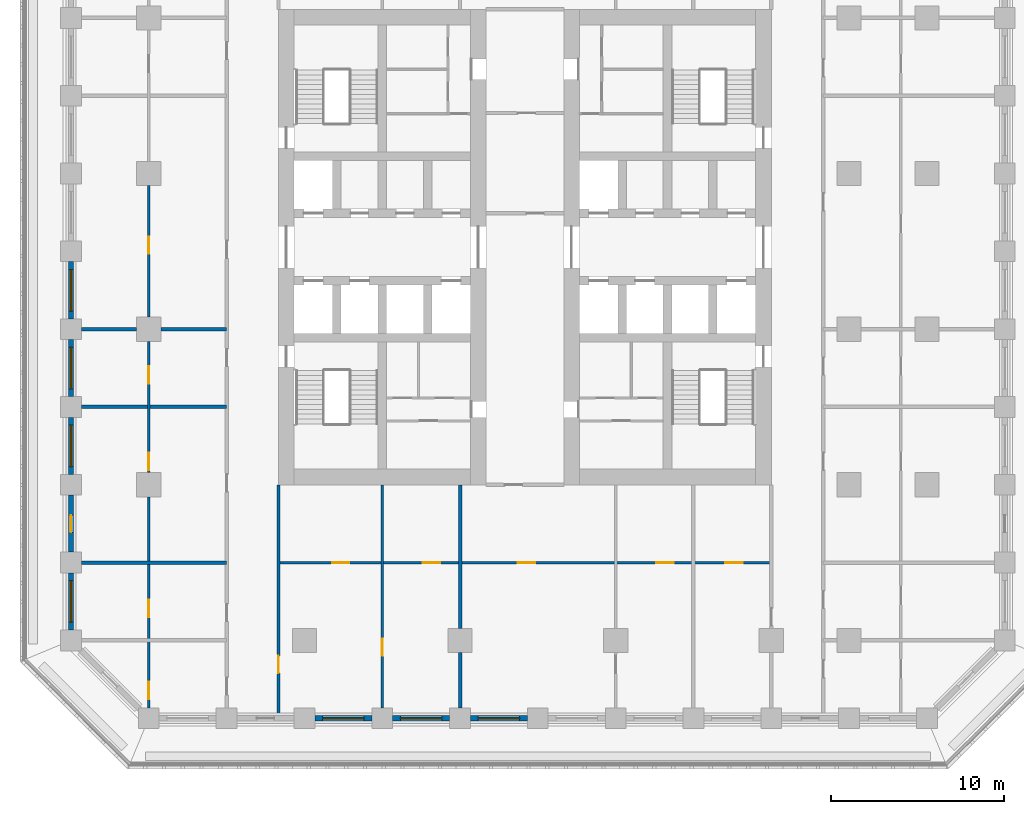
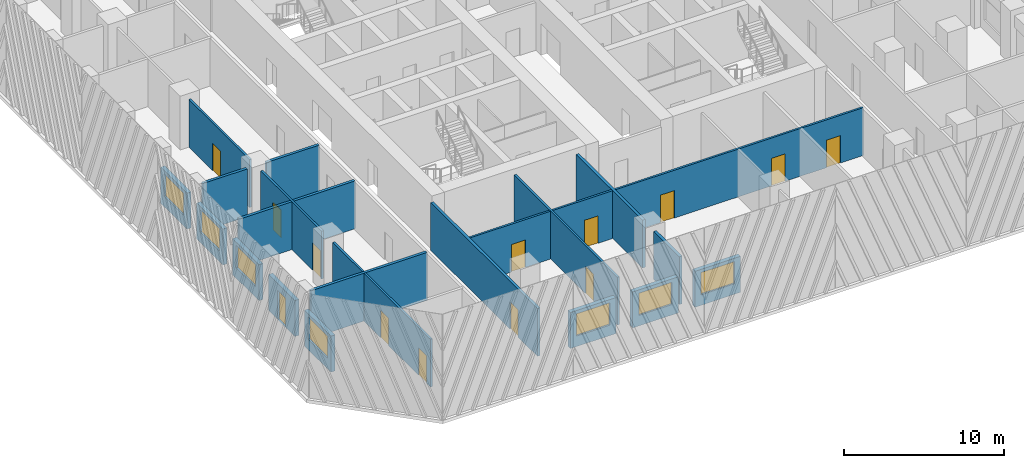
# One storey, part 3 of 20: 20 walls, 13 doors, 7 windows, 20 openings.
"""IFC4 building model written with IfcOpenShell, lengths in metres."""

from ifc_helpers import new_model, si_unit, direction, frame, frame_2d, origin, place, context, subcontext, project, spatial, rectangle, extrude, material, layer, layer_set, type_object, element, fill, save


model = new_model("IFC4")

# Units and contexts
model_context = context("Model", 3, precision=1e-05, world=origin(), true_north=direction((0.0, 1.0)))
body_context = subcontext(model_context, "Body", "Model", "MODEL_VIEW")
ifc_project = project(units=[si_unit("LENGTHUNIT", "METRE"), si_unit("AREAUNIT", "SQUARE_METRE"), si_unit("VOLUMEUNIT", "CUBIC_METRE"), si_unit("PLANEANGLEUNIT", "RADIAN"), si_unit("MASSUNIT", "GRAM", prefix="KILO")], contexts=[model_context])

# Site, building, storey
site_placement = place(None, origin())
site = spatial("IfcSite", under=ifc_project, at=site_placement, CompositionType="ELEMENT")
building_placement = place(site_placement, origin())
building = spatial("IfcBuilding", under=site, at=building_placement, Name="Corbel Stack Research Tower", CompositionType="ELEMENT")
storey_placement = place(building_placement, frame((0.0, 0.0, 98.39990234375)))
storey = spatial("IfcBuildingStorey", under=building, at=storey_placement, Name="L22", CompositionType="ELEMENT", Elevation=98.39990234375)

# Wall, opening, door
ifc_material_1 = material(Name="Fire-rated gypsum board partition on steel studs", Category="steel")
ifc_layer_1 = layer(ifc_material_1, 0.14990234375)
ifc_layer_set_1 = layer_set([ifc_layer_1], Name="Fire-rated gypsum board partition on steel studs")
wall_type_1 = type_object("IfcWallType", Name="Fire-rated partition 150 EI 60", PredefinedType="PARTITIONING", material=ifc_layer_set_1)
wall_1_placement = place(storey_placement, frame((-4.5, -9.0, 0.0), z_axis=(0.0, 0.0, 1.0), x_axis=(0.0, -1.0, 0.0)))
wall_1 = element("IfcWall", 1, at=wall_1_placement, inside=storey, type_object=wall_type_1, Name="Partition L22-010", PredefinedType="PARTITIONING", context=body_context, shape_type="SweptSolid", body=[
    extrude(rectangle(XDim=12.89990234375, YDim=0.14990234375, at=frame_2d((6.449951171875, 0.0))), origin(), (0.0, 0.0, 1.0), 3.650146484375),
])
opening_1_placement = place(wall_1_placement, frame((8.89990234375, 0.0, 0.0)))
opening_1 = element("IfcOpeningElement", 2, at=opening_1_placement, cuts=wall_1, Name="Opening B3V2-025", PredefinedType="OPENING", context=body_context, shape_type="SweptSolid", body=[
    extrude(rectangle(XDim=1.0, YDim=2.10009765625, at=frame_2d((0.5, 1.050048828125))), frame((0.0, 0.0849609375, 0.0), z_axis=(0.0, -1.0, 0.0), x_axis=(1.0, 0.0, 0.0)), (0.0, 0.0, 1.0), 0.169921875),
])
ifc_material_2 = material(Name="Painted steel fire door", Category="steel")
door_type_1 = type_object("IfcDoorType", Name="Fire door FD30S 1000 x 2100", OperationType="NOTDEFINED", PredefinedType="DOOR", material=ifc_material_2)
door_1_placement = place(opening_1_placement, origin())
door_1 = element("IfcDoor", 3, at=door_1_placement, inside=storey, type_object=door_type_1, Name="Door B3V2-025", OperationType="SINGLE_SWING_RIGHT", OverallHeight=2.10009765625, OverallWidth=1.0, PredefinedType="DOOR", context=body_context, shape_type="SweptSolid", body=[
    extrude(rectangle(XDim=1.0, YDim=2.10009765625, at=frame_2d((0.5, 1.050048828125))), frame((0.0, 0.02490234375, 0.0), z_axis=(0.0, -1.0, 0.0), x_axis=(1.0, 0.0, 0.0)), (0.0, 0.0, 1.0), 0.050048828125),
])
fill(opening_1, door_1)

ifc_material_3 = material(Name="Fire-rated gypsum board partition on steel studs", Category="steel")
ifc_layer_2 = layer(ifc_material_3, 0.199951171875)
ifc_layer_set_2 = layer_set([ifc_layer_2], Name="Fire-rated gypsum board partition on steel studs")
wall_type_2 = type_object("IfcWallType", Name="Fire-rated partition 200 EI 60", PredefinedType="PARTITIONING", material=ifc_layer_set_2)
wall_2_placement = place(storey_placement, frame((-10.5, -9.0, 0.0), z_axis=(0.0, 0.0, 1.0), x_axis=(0.0, -1.0, 0.0)))
wall_2 = element("IfcWall", 4, at=wall_2_placement, inside=storey, type_object=wall_type_2, Name="Partition L22-008", PredefinedType="PARTITIONING", context=body_context, shape_type="SweptSolid", body=[
    extrude(rectangle(XDim=13.35009765625, YDim=0.199951171875, at=frame_2d((6.675048828125, 0.0))), origin(), (0.0, 0.0, 1.0), 3.650146484375),
])
opening_2_placement = place(wall_2_placement, frame((9.89990234375, 0.0, 0.0)))
opening_2 = element("IfcOpeningElement", 5, at=opening_2_placement, cuts=wall_2, Name="Opening B3V2-022", PredefinedType="OPENING", context=body_context, shape_type="SweptSolid", body=[
    extrude(rectangle(XDim=1.0, YDim=2.10009765625, at=frame_2d((0.5, 1.050048828125))), frame((0.0, 0.10986328125, 0.0), z_axis=(0.0, -1.0, 0.0), x_axis=(1.0, 0.0, 0.0)), (0.0, 0.0, 1.0), 0.219970703125),
])
door_2_placement = place(opening_2_placement, origin())
door_2 = element("IfcDoor", 6, at=door_2_placement, inside=storey, type_object=door_type_1, Name="Door B3V2-022", OperationType="SINGLE_SWING_RIGHT", OverallHeight=2.10009765625, OverallWidth=1.0, PredefinedType="DOOR", context=body_context, shape_type="SweptSolid", body=[
    extrude(rectangle(XDim=1.0, YDim=2.10009765625, at=frame_2d((0.5, 1.050048828125))), frame((0.0, 0.02490234375, 0.0), z_axis=(0.0, -1.0, 0.0), x_axis=(1.0, 0.0, 0.0)), (0.0, 0.0, 1.0), 0.050048828125),
])
fill(opening_2, door_2)

# Walls
wall_3_placement = place(storey_placement, frame((0.0, -21.89990234375, 0.0), z_axis=(0.0, 0.0, 1.0), x_axis=(0.0, 1.0, 0.0)))
element("IfcWall", 7, at=wall_3_placement, inside=storey, type_object=wall_type_2, Name="Partition L22-015", PredefinedType="PARTITIONING", context=body_context, shape_type="SweptSolid", body=[
    extrude(rectangle(XDim=3.199951171875, YDim=0.199951171875, at=frame_2d((1.60009765625, 0.0))), origin(), (0.0, 0.0, 1.0), 3.650146484375),
])
wall_4_placement = place(storey_placement, frame((0.0, -17.300048828125, 0.0), z_axis=(0.0, 0.0, 1.0), x_axis=(0.0, 1.0, 0.0)))
element("IfcWall", 8, at=wall_4_placement, inside=storey, type_object=wall_type_2, Name="Partition L22-016", PredefinedType="PARTITIONING", context=body_context, shape_type="SweptSolid", body=[
    extrude(rectangle(XDim=8.300048828125, YDim=0.199951171875, at=frame_2d((4.14990234375, 0.0))), origin(), (0.0, 0.0, 1.0), 3.650146484375),
])
for number, where, z_axis, x_axis, name in (
    (9, (-21.89990234375, -13.5, 0.0), (0.0, 0.0, 1.0), (1.0, 0.0, 0.0), "Partition L22-035"),
    (10, (-21.89990234375, -4.5, 0.0), (0.0, 0.0, 1.0), (1.0, 0.0, 0.0), "Partition L22-038"),
):
    element("IfcWall", number, at=place(storey_placement, frame(where, z_axis=z_axis, x_axis=x_axis)), inside=storey, type_object=wall_type_2, Name=name, PredefinedType="PARTITIONING", context=body_context, shape_type="SweptSolid", body=[
        extrude(rectangle(XDim=8.39990234375, YDim=0.199951171875, at=frame_2d((4.199951171875, 0.0))), origin(), (0.0, 0.0, 1.0), 3.650146484375),
    ])
wall_5_placement = place(storey_placement, frame((-21.89990234375, 0.0, 0.0), z_axis=(0.0, 0.0, 1.0), x_axis=(1.0, 0.0, 0.0)))
element("IfcWall", 11, at=wall_5_placement, inside=storey, type_object=wall_type_2, Name="Partition L22-040", PredefinedType="PARTITIONING", context=body_context, shape_type="SweptSolid", body=[
    extrude(rectangle(XDim=3.199951171875, YDim=0.199951171875, at=frame_2d((1.60009765625, 0.0))), origin(), (0.0, 0.0, 1.0), 3.650146484375),
])
wall_6_placement = place(storey_placement, frame((-17.300048828125, 0.0, 0.0), z_axis=(0.0, 0.0, 1.0), x_axis=(1.0, 0.0, 0.0)))
element("IfcWall", 12, at=wall_6_placement, inside=storey, type_object=wall_type_2, Name="Partition L22-041", PredefinedType="PARTITIONING", context=body_context, shape_type="SweptSolid", body=[
    extrude(rectangle(XDim=3.800048828125, YDim=0.199951171875, at=frame_2d((1.89990234375, 0.0))), origin(), (0.0, 0.0, 1.0), 3.650146484375),
])

# Wall, openings, doors
ifc_material_4 = material(Name="Gypsum board partition on steel studs", Category="steel")
ifc_layer_3 = layer(ifc_material_4, 0.14990234375)
ifc_layer_set_3 = layer_set([ifc_layer_3], Name="Gypsum board partition on steel studs")
wall_type_3 = type_object("IfcWallType", Name="Partition 150", PredefinedType="PARTITIONING", material=ifc_layer_set_3)
wall_7_placement = place(storey_placement, frame((-18.0, -21.89990234375, 0.0), z_axis=(0.0, 0.0, 1.0), x_axis=(0.0, 1.0, 0.0)))
wall_7 = element("IfcWall", 13, at=wall_7_placement, inside=storey, type_object=wall_type_3, Name="Partition L22-001", PredefinedType="PARTITIONING", context=body_context, shape_type="SweptSolid", body=[
    extrude(rectangle(XDim=12.199951171875, YDim=0.14990234375, at=frame_2d((6.10009765625, 0.0))), origin(), (0.0, 0.0, 1.0), 3.650146484375),
])
opening_3_placement = place(wall_7_placement, frame((0.5, 0.0, 0.0)))
opening_3 = element("IfcOpeningElement", 14, at=opening_3_placement, cuts=wall_7, Name="Opening B3V2-001", PredefinedType="OPENING", context=body_context, shape_type="SweptSolid", body=[
    extrude(rectangle(XDim=1.0, YDim=2.10009765625, at=frame_2d((0.5, 1.050048828125))), frame((0.0, 0.0849609375, 0.0), z_axis=(0.0, -1.0, 0.0), x_axis=(1.0, 0.0, 0.0)), (0.0, 0.0, 1.0), 0.169921875),
])
opening_4_placement = place(wall_7_placement, frame((5.25, 0.0, 0.0)))
opening_4 = element("IfcOpeningElement", 15, at=opening_4_placement, cuts=wall_7, Name="Opening B3V2-002", PredefinedType="OPENING", context=body_context, shape_type="SweptSolid", body=[
    extrude(rectangle(XDim=1.0, YDim=2.10009765625, at=frame_2d((0.5, 1.050048828125))), frame((0.0, 0.0849609375, 0.0), z_axis=(0.0, -1.0, 0.0), x_axis=(1.0, 0.0, 0.0)), (0.0, 0.0, 1.0), 0.169921875),
])
ifc_material_5 = material(Name="Painted timber door", Category="wood")
door_type_2 = type_object("IfcDoorType", Name="Single door 1000 x 2100", OperationType="NOTDEFINED", PredefinedType="DOOR", material=ifc_material_5)
door_3_placement = place(opening_3_placement, origin())
door_3 = element("IfcDoor", 16, at=door_3_placement, inside=storey, type_object=door_type_2, Name="Door B3V2-001", OperationType="SINGLE_SWING_LEFT", OverallHeight=2.10009765625, OverallWidth=1.0, PredefinedType="DOOR", context=body_context, shape_type="SweptSolid", body=[
    extrude(rectangle(XDim=1.0, YDim=2.10009765625, at=frame_2d((0.5, 1.050048828125))), frame((0.0, 0.02490234375, 0.0), z_axis=(0.0, -1.0, 0.0), x_axis=(1.0, 0.0, 0.0)), (0.0, 0.0, 1.0), 0.050048828125),
])
fill(opening_3, door_3)
door_4_placement = place(opening_4_placement, origin())
door_4 = element("IfcDoor", 17, at=door_4_placement, inside=storey, type_object=door_type_2, Name="Door B3V2-002", OperationType="SINGLE_SWING_LEFT", OverallHeight=2.10009765625, OverallWidth=1.0, PredefinedType="DOOR", context=body_context, shape_type="SweptSolid", body=[
    extrude(rectangle(XDim=1.0, YDim=2.10009765625, at=frame_2d((0.5, 1.050048828125))), frame((0.0, 0.02490234375, 0.0), z_axis=(0.0, -1.0, 0.0), x_axis=(1.0, 0.0, 0.0)), (0.0, 0.0, 1.0), 0.050048828125),
])
fill(opening_4, door_4)

wall_8_placement = place(storey_placement, frame((-18.0, -8.300048828125, 0.0), z_axis=(0.0, 0.0, 1.0), x_axis=(0.0, 1.0, 0.0)))
wall_8 = element("IfcWall", 18, at=wall_8_placement, inside=storey, type_object=wall_type_3, Name="Partition L22-002", PredefinedType="PARTITIONING", context=body_context, shape_type="SweptSolid", body=[
    extrude(rectangle(XDim=7.60009765625, YDim=0.14990234375, at=frame_2d((3.800048828125, 0.0))), origin(), (0.0, 0.0, 1.0), 3.650146484375),
])
opening_5_placement = place(wall_8_placement, frame((0.14990234375, 0.0, 0.0)))
opening_5 = element("IfcOpeningElement", 19, at=opening_5_placement, cuts=wall_8, Name="Opening B3V2-003", PredefinedType="OPENING", context=body_context, shape_type="SweptSolid", body=[
    extrude(rectangle(XDim=1.0, YDim=2.10009765625, at=frame_2d((0.5, 1.050048828125))), frame((0.0, 0.0849609375, 0.0), z_axis=(0.0, -1.0, 0.0), x_axis=(1.0, 0.0, 0.0)), (0.0, 0.0, 1.0), 0.169921875),
])
opening_6_placement = place(wall_8_placement, frame((5.14990234375, 0.0, 0.0)))
opening_6 = element("IfcOpeningElement", 20, at=opening_6_placement, cuts=wall_8, Name="Opening B3V2-004", PredefinedType="OPENING", context=body_context, shape_type="SweptSolid", body=[
    extrude(rectangle(XDim=1.0, YDim=2.10009765625, at=frame_2d((0.5, 1.050048828125))), frame((0.0, 0.0849609375, 0.0), z_axis=(0.0, -1.0, 0.0), x_axis=(1.0, 0.0, 0.0)), (0.0, 0.0, 1.0), 0.169921875),
])
door_5_placement = place(opening_5_placement, origin())
door_5 = element("IfcDoor", 21, at=door_5_placement, inside=storey, type_object=door_type_2, Name="Door B3V2-003", OperationType="SINGLE_SWING_LEFT", OverallHeight=2.10009765625, OverallWidth=1.0, PredefinedType="DOOR", context=body_context, shape_type="SweptSolid", body=[
    extrude(rectangle(XDim=1.0, YDim=2.10009765625, at=frame_2d((0.5, 1.050048828125))), frame((0.0, 0.02490234375, 0.0), z_axis=(0.0, -1.0, 0.0), x_axis=(1.0, 0.0, 0.0)), (0.0, 0.0, 1.0), 0.050048828125),
])
fill(opening_5, door_5)
door_6_placement = place(opening_6_placement, origin())
door_6 = element("IfcDoor", 22, at=door_6_placement, inside=storey, type_object=door_type_2, Name="Door B3V2-004", OperationType="SINGLE_SWING_RIGHT", OverallHeight=2.10009765625, OverallWidth=1.0, PredefinedType="DOOR", context=body_context, shape_type="SweptSolid", body=[
    extrude(rectangle(XDim=1.0, YDim=2.10009765625, at=frame_2d((0.5, 1.050048828125))), frame((0.0, 0.02490234375, 0.0), z_axis=(0.0, -1.0, 0.0), x_axis=(1.0, 0.0, 0.0)), (0.0, 0.0, 1.0), 0.050048828125),
])
fill(opening_6, door_6)

# Wall, opening, door
wall_9_placement = place(storey_placement, frame((-18.0, 0.699951171875, 0.0), z_axis=(0.0, 0.0, 1.0), x_axis=(0.0, 1.0, 0.0)))
wall_9 = element("IfcWall", 23, at=wall_9_placement, inside=storey, type_object=wall_type_3, Name="Partition L22-003", PredefinedType="PARTITIONING", context=body_context, shape_type="SweptSolid", body=[
    extrude(rectangle(XDim=7.60009765625, YDim=0.14990234375, at=frame_2d((3.800048828125, 0.0))), origin(), (0.0, 0.0, 1.0), 3.650146484375),
])
opening_7_placement = place(wall_9_placement, frame((3.64990234375, 0.0, 0.0)))
opening_7 = element("IfcOpeningElement", 24, at=opening_7_placement, cuts=wall_9, Name="Opening B3V2-005", PredefinedType="OPENING", context=body_context, shape_type="SweptSolid", body=[
    extrude(rectangle(XDim=1.0, YDim=2.10009765625, at=frame_2d((0.5, 1.050048828125))), frame((0.0, 0.0849609375, 0.0), z_axis=(0.0, -1.0, 0.0), x_axis=(1.0, 0.0, 0.0)), (0.0, 0.0, 1.0), 0.169921875),
])
door_7_placement = place(opening_7_placement, origin())
door_7 = element("IfcDoor", 25, at=door_7_placement, inside=storey, type_object=door_type_2, Name="Door B3V2-005", OperationType="SINGLE_SWING_RIGHT", OverallHeight=2.10009765625, OverallWidth=1.0, PredefinedType="DOOR", context=body_context, shape_type="SweptSolid", body=[
    extrude(rectangle(XDim=1.0, YDim=2.10009765625, at=frame_2d((0.5, 1.050048828125))), frame((0.0, 0.02490234375, 0.0), z_axis=(0.0, -1.0, 0.0), x_axis=(1.0, 0.0, 0.0)), (0.0, 0.0, 1.0), 0.050048828125),
])
fill(opening_7, door_7)

# Wall, openings, doors
wall_10_placement = place(storey_placement, frame((-10.5, -13.5, 0.0), z_axis=(0.0, 0.0, 1.0), x_axis=(1.0, 0.0, 0.0)))
wall_10 = element("IfcWall", 26, at=wall_10_placement, inside=storey, type_object=wall_type_3, Name="Partition L22-034", PredefinedType="PARTITIONING", context=body_context, shape_type="SweptSolid", body=[
    extrude(rectangle(XDim=28.5, YDim=0.14990234375, at=frame_2d((14.25, 0.0))), origin(), (0.0, 0.0, 1.0), 3.650146484375),
])
opening_8_placement = place(wall_10_placement, frame((3.10009765625, 0.0, 0.0)))
opening_8 = element("IfcOpeningElement", 27, at=opening_8_placement, cuts=wall_10, Name="Opening B3V2-012", PredefinedType="OPENING", context=body_context, shape_type="SweptSolid", body=[
    extrude(rectangle(XDim=1.0, YDim=2.10009765625, at=frame_2d((0.5, 1.050048828125))), frame((0.0, 0.0849609375, 0.0), z_axis=(0.0, -1.0, 0.0), x_axis=(1.0, 0.0, 0.0)), (0.0, 0.0, 1.0), 0.169921875),
])
opening_9_placement = place(wall_10_placement, frame((8.35009765625, 0.0, 0.0)))
opening_9 = element("IfcOpeningElement", 28, at=opening_9_placement, cuts=wall_10, Name="Opening B3V2-014", PredefinedType="OPENING", context=body_context, shape_type="SweptSolid", body=[
    extrude(rectangle(XDim=1.0, YDim=2.10009765625, at=frame_2d((0.5, 1.050048828125))), frame((0.0, 0.0849609375, 0.0), z_axis=(0.0, -1.0, 0.0), x_axis=(1.0, 0.0, 0.0)), (0.0, 0.0, 1.0), 0.169921875),
])
opening_10_placement = place(wall_10_placement, frame((13.85009765625, 0.0, 0.0)))
opening_10 = element("IfcOpeningElement", 29, at=opening_10_placement, cuts=wall_10, Name="Opening B3V2-015", PredefinedType="OPENING", context=body_context, shape_type="SweptSolid", body=[
    extrude(rectangle(XDim=1.0, YDim=2.10009765625, at=frame_2d((0.5, 1.050048828125))), frame((0.0, 0.0849609375, 0.0), z_axis=(0.0, -1.0, 0.0), x_axis=(1.0, 0.0, 0.0)), (0.0, 0.0, 1.0), 0.169921875),
])
opening_11_placement = place(wall_10_placement, frame((21.85009765625, 0.0, 0.0)))
opening_11 = element("IfcOpeningElement", 30, at=opening_11_placement, cuts=wall_10, Name="Opening B3V2-017", PredefinedType="OPENING", context=body_context, shape_type="SweptSolid", body=[
    extrude(rectangle(XDim=1.0, YDim=2.10009765625, at=frame_2d((0.5, 1.050048828125))), frame((0.0, 0.0849609375, 0.0), z_axis=(0.0, -1.0, 0.0), x_axis=(1.0, 0.0, 0.0)), (0.0, 0.0, 1.0), 0.169921875),
])
opening_12_placement = place(wall_10_placement, frame((25.85009765625, 0.0, 0.0)))
opening_12 = element("IfcOpeningElement", 31, at=opening_12_placement, cuts=wall_10, Name="Opening B3V2-018", PredefinedType="OPENING", context=body_context, shape_type="SweptSolid", body=[
    extrude(rectangle(XDim=1.0, YDim=2.10009765625, at=frame_2d((0.5, 1.050048828125))), frame((0.0, 0.0849609375, 0.0), z_axis=(0.0, -1.0, 0.0), x_axis=(1.0, 0.0, 0.0)), (0.0, 0.0, 1.0), 0.169921875),
])
door_8_placement = place(opening_8_placement, origin())
door_8 = element("IfcDoor", 32, at=door_8_placement, inside=storey, type_object=door_type_2, Name="Door B3V2-012", OperationType="SINGLE_SWING_LEFT", OverallHeight=2.10009765625, OverallWidth=1.0, PredefinedType="DOOR", context=body_context, shape_type="SweptSolid", body=[
    extrude(rectangle(XDim=1.0, YDim=2.10009765625, at=frame_2d((0.5, 1.050048828125))), frame((0.0, 0.02490234375, 0.0), z_axis=(0.0, -1.0, 0.0), x_axis=(1.0, 0.0, 0.0)), (0.0, 0.0, 1.0), 0.050048828125),
])
fill(opening_8, door_8)
door_9_placement = place(opening_9_placement, origin())
door_9 = element("IfcDoor", 33, at=door_9_placement, inside=storey, type_object=door_type_2, Name="Door B3V2-014", OperationType="SINGLE_SWING_LEFT", OverallHeight=2.10009765625, OverallWidth=1.0, PredefinedType="DOOR", context=body_context, shape_type="SweptSolid", body=[
    extrude(rectangle(XDim=1.0, YDim=2.10009765625, at=frame_2d((0.5, 1.050048828125))), frame((0.0, 0.02490234375, 0.0), z_axis=(0.0, -1.0, 0.0), x_axis=(1.0, 0.0, 0.0)), (0.0, 0.0, 1.0), 0.050048828125),
])
fill(opening_9, door_9)
door_10_placement = place(opening_10_placement, origin())
door_10 = element("IfcDoor", 34, at=door_10_placement, inside=storey, type_object=door_type_2, Name="Door B3V2-015", OperationType="SINGLE_SWING_RIGHT", OverallHeight=2.10009765625, OverallWidth=1.0, PredefinedType="DOOR", context=body_context, shape_type="SweptSolid", body=[
    extrude(rectangle(XDim=1.0, YDim=2.10009765625, at=frame_2d((0.5, 1.050048828125))), frame((0.0, 0.02490234375, 0.0), z_axis=(0.0, -1.0, 0.0), x_axis=(1.0, 0.0, 0.0)), (0.0, 0.0, 1.0), 0.050048828125),
])
fill(opening_10, door_10)
door_11_placement = place(opening_11_placement, origin())
door_11 = element("IfcDoor", 35, at=door_11_placement, inside=storey, type_object=door_type_2, Name="Door B3V2-017", OperationType="SINGLE_SWING_RIGHT", OverallHeight=2.10009765625, OverallWidth=1.0, PredefinedType="DOOR", context=body_context, shape_type="SweptSolid", body=[
    extrude(rectangle(XDim=1.0, YDim=2.10009765625, at=frame_2d((0.5, 1.050048828125))), frame((0.0, 0.02490234375, 0.0), z_axis=(0.0, -1.0, 0.0), x_axis=(1.0, 0.0, 0.0)), (0.0, 0.0, 1.0), 0.050048828125),
])
fill(opening_11, door_11)
door_12_placement = place(opening_12_placement, origin())
door_12 = element("IfcDoor", 36, at=door_12_placement, inside=storey, type_object=door_type_2, Name="Door B3V2-018", OperationType="SINGLE_SWING_RIGHT", OverallHeight=2.10009765625, OverallWidth=1.0, PredefinedType="DOOR", context=body_context, shape_type="SweptSolid", body=[
    extrude(rectangle(XDim=1.0, YDim=2.10009765625, at=frame_2d((0.5, 1.050048828125))), frame((0.0, 0.02490234375, 0.0), z_axis=(0.0, -1.0, 0.0), x_axis=(1.0, 0.0, 0.0)), (0.0, 0.0, 1.0), 0.050048828125),
])
fill(opening_12, door_12)

# Wall, opening, window
ifc_material_6 = material(Name="Concrete C45/55", Category="concrete")
ifc_layer_4 = layer(ifc_material_6, 0.300048828125)
ifc_layer_set_4 = layer_set([ifc_layer_4], Name="Concrete C45/55")
wall_type_4 = type_object("IfcWallType", Name="Terracotta-faced concrete wall 300", PredefinedType="SOLIDWALL", material=ifc_layer_set_4)
wall_11_placement = place(storey_placement, frame((-5.10009765625, -22.5, 0.0), z_axis=(0.0, 0.0, 1.0), x_axis=(-1.0, 0.0, 0.0)))
wall_11 = element("IfcWall", 37, at=wall_11_placement, inside=storey, type_object=wall_type_4, Name="Facade wall L22 S03", PredefinedType="SOLIDWALL", context=body_context, shape_type="SweptSolid", body=[
    extrude(rectangle(XDim=3.2998046875, YDim=0.300048828125, at=frame_2d((1.64990234375, 0.0))), origin(), (0.0, 0.0, 1.0), 2.75),
])
opening_13_placement = place(wall_11_placement, frame((0.449951171875, 0.0, 0.800048828125)))
opening_13 = element("IfcOpeningElement", 38, at=opening_13_placement, cuts=wall_11, Name="Opening W1", PredefinedType="OPENING", context=body_context, shape_type="SweptSolid", body=[
    extrude(rectangle(XDim=2.39990234375, YDim=1.699951171875, at=frame_2d((1.199951171875, 0.85009765625))), frame((0.0, 0.159912109375, 0.0), z_axis=(0.0, -1.0, 0.0), x_axis=(1.0, 0.0, 0.0)), (0.0, 0.0, 1.0), 0.320068359375),
])
ifc_material_7 = material(Name="Aluminium frame, clear double glazing", Category="aluminium")
window_type = type_object("IfcWindowType", Name="Window W1 2400 x 1700", PartitioningType="SINGLE_PANEL", PredefinedType="WINDOW", material=ifc_material_7)
window_1_placement = place(opening_13_placement, origin())
window_1 = element("IfcWindow", 39, at=window_1_placement, inside=storey, type_object=window_type, Name="Window W1 L22 S03", OverallHeight=1.699951171875, OverallWidth=2.39990234375, PartitioningType="SINGLE_PANEL", PredefinedType="WINDOW", context=body_context, shape_type="SweptSolid", body=[
    extrude(rectangle(XDim=2.39990234375, YDim=1.699951171875, at=frame_2d((1.199951171875, 0.85009765625))), frame((0.0, 0.030029296875, 0.0), z_axis=(0.0, -1.0, 0.0), x_axis=(1.0, 0.0, 0.0)), (0.0, 0.0, 1.0), 0.06005859375),
])
fill(opening_13, window_1)

wall_12_placement = place(storey_placement, frame((-0.60009765625, -22.5, 0.0), z_axis=(0.0, 0.0, 1.0), x_axis=(-1.0, 0.0, 0.0)))
wall_12 = element("IfcWall", 40, at=wall_12_placement, inside=storey, type_object=wall_type_4, Name="Facade wall L22 S04", PredefinedType="SOLIDWALL", context=body_context, shape_type="SweptSolid", body=[
    extrude(rectangle(XDim=3.2998046875, YDim=0.300048828125, at=frame_2d((1.64990234375, 0.0))), origin(), (0.0, 0.0, 1.0), 2.75),
])
opening_14_placement = place(wall_12_placement, frame((0.449951171875, 0.0, 0.800048828125)))
opening_14 = element("IfcOpeningElement", 41, at=opening_14_placement, cuts=wall_12, Name="Opening W1", PredefinedType="OPENING", context=body_context, shape_type="SweptSolid", body=[
    extrude(rectangle(XDim=2.39990234375, YDim=1.699951171875, at=frame_2d((1.199951171875, 0.85009765625))), frame((0.0, 0.159912109375, 0.0), z_axis=(0.0, -1.0, 0.0), x_axis=(1.0, 0.0, 0.0)), (0.0, 0.0, 1.0), 0.320068359375),
])
window_2_placement = place(opening_14_placement, origin())
window_2 = element("IfcWindow", 42, at=window_2_placement, inside=storey, type_object=window_type, Name="Window W1 L22 S04", OverallHeight=1.699951171875, OverallWidth=2.39990234375, PartitioningType="SINGLE_PANEL", PredefinedType="WINDOW", context=body_context, shape_type="SweptSolid", body=[
    extrude(rectangle(XDim=2.39990234375, YDim=1.699951171875, at=frame_2d((1.199951171875, 0.85009765625))), frame((0.0, 0.030029296875, 0.0), z_axis=(0.0, -1.0, 0.0), x_axis=(1.0, 0.0, 0.0)), (0.0, 0.0, 1.0), 0.06005859375),
])
fill(opening_14, window_2)

wall_13_placement = place(storey_placement, frame((3.89990234375, -22.5, 0.0), z_axis=(0.0, 0.0, 1.0), x_axis=(-1.0, 0.0, 0.0)))
wall_13 = element("IfcWall", 43, at=wall_13_placement, inside=storey, type_object=wall_type_4, Name="Facade wall L22 S05", PredefinedType="SOLIDWALL", context=body_context, shape_type="SweptSolid", body=[
    extrude(rectangle(XDim=3.2998046875, YDim=0.300048828125, at=frame_2d((1.64990234375, 0.0))), origin(), (0.0, 0.0, 1.0), 2.75),
])
opening_15_placement = place(wall_13_placement, frame((0.449951171875, 0.0, 0.800048828125)))
opening_15 = element("IfcOpeningElement", 44, at=opening_15_placement, cuts=wall_13, Name="Opening W1", PredefinedType="OPENING", context=body_context, shape_type="SweptSolid", body=[
    extrude(rectangle(XDim=2.39990234375, YDim=1.699951171875, at=frame_2d((1.199951171875, 0.85009765625))), frame((0.0, 0.159912109375, 0.0), z_axis=(0.0, -1.0, 0.0), x_axis=(1.0, 0.0, 0.0)), (0.0, 0.0, 1.0), 0.320068359375),
])
window_3_placement = place(opening_15_placement, origin())
window_3 = element("IfcWindow", 45, at=window_3_placement, inside=storey, type_object=window_type, Name="Window W1 L22 S05", OverallHeight=1.699951171875, OverallWidth=2.39990234375, PartitioningType="SINGLE_PANEL", PredefinedType="WINDOW", context=body_context, shape_type="SweptSolid", body=[
    extrude(rectangle(XDim=2.39990234375, YDim=1.699951171875, at=frame_2d((1.199951171875, 0.85009765625))), frame((0.0, 0.030029296875, 0.0), z_axis=(0.0, -1.0, 0.0), x_axis=(1.0, 0.0, 0.0)), (0.0, 0.0, 1.0), 0.06005859375),
])
fill(opening_15, window_3)

wall_14_placement = place(storey_placement, frame((-22.5, 0.60009765625, 0.0), z_axis=(0.0, 0.0, 1.0), x_axis=(0.0, 1.0, 0.0)))
wall_14 = element("IfcWall", 46, at=wall_14_placement, inside=storey, type_object=wall_type_4, Name="Facade wall L22 W06", PredefinedType="SOLIDWALL", context=body_context, shape_type="SweptSolid", body=[
    extrude(rectangle(XDim=3.2998046875, YDim=0.300048828125, at=frame_2d((1.64990234375, 0.0))), origin(), (0.0, 0.0, 1.0), 2.75),
])
opening_16_placement = place(wall_14_placement, frame((0.449951171875, 0.0, 0.800048828125)))
opening_16 = element("IfcOpeningElement", 47, at=opening_16_placement, cuts=wall_14, Name="Opening W1", PredefinedType="OPENING", context=body_context, shape_type="SweptSolid", body=[
    extrude(rectangle(XDim=2.39990234375, YDim=1.699951171875, at=frame_2d((1.199951171875, 0.85009765625))), frame((0.0, 0.159912109375, 0.0), z_axis=(0.0, -1.0, 0.0), x_axis=(1.0, 0.0, 0.0)), (0.0, 0.0, 1.0), 0.320068359375),
])
window_4_placement = place(opening_16_placement, origin())
window_4 = element("IfcWindow", 48, at=window_4_placement, inside=storey, type_object=window_type, Name="Window W1 L22 W06", OverallHeight=1.699951171875, OverallWidth=2.39990234375, PartitioningType="SINGLE_PANEL", PredefinedType="WINDOW", context=body_context, shape_type="SweptSolid", body=[
    extrude(rectangle(XDim=2.39990234375, YDim=1.699951171875, at=frame_2d((1.199951171875, 0.85009765625))), frame((0.0, 0.030029296875, 0.0), z_axis=(0.0, -1.0, 0.0), x_axis=(1.0, 0.0, 0.0)), (0.0, 0.0, 1.0), 0.06005859375),
])
fill(opening_16, window_4)

wall_15_placement = place(storey_placement, frame((-22.5, -3.89990234375, 0.0), z_axis=(0.0, 0.0, 1.0), x_axis=(0.0, 1.0, 0.0)))
wall_15 = element("IfcWall", 49, at=wall_15_placement, inside=storey, type_object=wall_type_4, Name="Facade wall L22 W07", PredefinedType="SOLIDWALL", context=body_context, shape_type="SweptSolid", body=[
    extrude(rectangle(XDim=3.2998046875, YDim=0.300048828125, at=frame_2d((1.64990234375, 0.0))), origin(), (0.0, 0.0, 1.0), 2.75),
])
opening_17_placement = place(wall_15_placement, frame((0.449951171875, 0.0, 0.800048828125)))
opening_17 = element("IfcOpeningElement", 50, at=opening_17_placement, cuts=wall_15, Name="Opening W1", PredefinedType="OPENING", context=body_context, shape_type="SweptSolid", body=[
    extrude(rectangle(XDim=2.39990234375, YDim=1.699951171875, at=frame_2d((1.199951171875, 0.85009765625))), frame((0.0, 0.159912109375, 0.0), z_axis=(0.0, -1.0, 0.0), x_axis=(1.0, 0.0, 0.0)), (0.0, 0.0, 1.0), 0.320068359375),
])
window_5_placement = place(opening_17_placement, origin())
window_5 = element("IfcWindow", 51, at=window_5_placement, inside=storey, type_object=window_type, Name="Window W1 L22 W07", OverallHeight=1.699951171875, OverallWidth=2.39990234375, PartitioningType="SINGLE_PANEL", PredefinedType="WINDOW", context=body_context, shape_type="SweptSolid", body=[
    extrude(rectangle(XDim=2.39990234375, YDim=1.699951171875, at=frame_2d((1.199951171875, 0.85009765625))), frame((0.0, 0.030029296875, 0.0), z_axis=(0.0, -1.0, 0.0), x_axis=(1.0, 0.0, 0.0)), (0.0, 0.0, 1.0), 0.06005859375),
])
fill(opening_17, window_5)

wall_16_placement = place(storey_placement, frame((-22.5, -8.39990234375, 0.0), z_axis=(0.0, 0.0, 1.0), x_axis=(0.0, 1.0, 0.0)))
wall_16 = element("IfcWall", 52, at=wall_16_placement, inside=storey, type_object=wall_type_4, Name="Facade wall L22 W08", PredefinedType="SOLIDWALL", context=body_context, shape_type="SweptSolid", body=[
    extrude(rectangle(XDim=3.2998046875, YDim=0.300048828125, at=frame_2d((1.64990234375, 0.0))), origin(), (0.0, 0.0, 1.0), 2.75),
])
opening_18_placement = place(wall_16_placement, frame((0.449951171875, 0.0, 0.800048828125)))
opening_18 = element("IfcOpeningElement", 53, at=opening_18_placement, cuts=wall_16, Name="Opening W1", PredefinedType="OPENING", context=body_context, shape_type="SweptSolid", body=[
    extrude(rectangle(XDim=2.39990234375, YDim=1.699951171875, at=frame_2d((1.199951171875, 0.85009765625))), frame((0.0, 0.159912109375, 0.0), z_axis=(0.0, -1.0, 0.0), x_axis=(1.0, 0.0, 0.0)), (0.0, 0.0, 1.0), 0.320068359375),
])
window_6_placement = place(opening_18_placement, origin())
window_6 = element("IfcWindow", 54, at=window_6_placement, inside=storey, type_object=window_type, Name="Window W1 L22 W08", OverallHeight=1.699951171875, OverallWidth=2.39990234375, PartitioningType="SINGLE_PANEL", PredefinedType="WINDOW", context=body_context, shape_type="SweptSolid", body=[
    extrude(rectangle(XDim=2.39990234375, YDim=1.699951171875, at=frame_2d((1.199951171875, 0.85009765625))), frame((0.0, 0.030029296875, 0.0), z_axis=(0.0, -1.0, 0.0), x_axis=(1.0, 0.0, 0.0)), (0.0, 0.0, 1.0), 0.06005859375),
])
fill(opening_18, window_6)

# Wall, opening, door
wall_17_placement = place(storey_placement, frame((-22.5, -12.89990234375, 0.0), z_axis=(0.0, 0.0, 1.0), x_axis=(0.0, 1.0, 0.0)))
wall_17 = element("IfcWall", 55, at=wall_17_placement, inside=storey, type_object=wall_type_4, Name="Facade wall L22 W09", PredefinedType="SOLIDWALL", context=body_context, shape_type="SweptSolid", body=[
    extrude(rectangle(XDim=3.2998046875, YDim=0.300048828125, at=frame_2d((1.64990234375, 0.0))), origin(), (0.0, 0.0, 1.0), 2.75),
])
opening_19_placement = place(wall_17_placement, frame((1.14990234375, 0.0, 0.0)))
opening_19 = element("IfcOpeningElement", 56, at=opening_19_placement, cuts=wall_17, Name="Opening L22-B11", PredefinedType="OPENING", context=body_context, shape_type="SweptSolid", body=[
    extrude(rectangle(XDim=1.0, YDim=2.199951171875, at=frame_2d((0.5, 1.10009765625))), frame((0.0, 0.159912109375, 0.0), z_axis=(0.0, -1.0, 0.0), x_axis=(1.0, 0.0, 0.0)), (0.0, 0.0, 1.0), 0.320068359375),
])
ifc_material_8 = material(Name="Aluminium frame, clear double glazing", Category="aluminium")
door_type_3 = type_object("IfcDoorType", Name="Balcony door BD1 1000 x 2200", OperationType="NOTDEFINED", PredefinedType="DOOR", material=ifc_material_8)
door_13_placement = place(opening_19_placement, origin())
door_13 = element("IfcDoor", 57, at=door_13_placement, inside=storey, type_object=door_type_3, Name="Balcony door L22-B11", OperationType="SINGLE_SWING_LEFT", OverallHeight=2.199951171875, OverallWidth=1.0, PredefinedType="DOOR", context=body_context, shape_type="SweptSolid", body=[
    extrude(rectangle(XDim=1.0, YDim=2.199951171875, at=frame_2d((0.5, 1.10009765625))), frame((0.0, 0.02490234375, 0.0), z_axis=(0.0, -1.0, 0.0), x_axis=(1.0, 0.0, 0.0)), (0.0, 0.0, 1.0), 0.050048828125),
])
fill(opening_19, door_13)

# Wall, opening, window
wall_18_placement = place(storey_placement, frame((-22.5, -17.39990234375, 0.0), z_axis=(0.0, 0.0, 1.0), x_axis=(0.0, 1.0, 0.0)))
wall_18 = element("IfcWall", 58, at=wall_18_placement, inside=storey, type_object=wall_type_4, Name="Facade wall L22 W10", PredefinedType="SOLIDWALL", context=body_context, shape_type="SweptSolid", body=[
    extrude(rectangle(XDim=3.2998046875, YDim=0.300048828125, at=frame_2d((1.64990234375, 0.0))), origin(), (0.0, 0.0, 1.0), 2.75),
])
opening_20_placement = place(wall_18_placement, frame((0.449951171875, 0.0, 0.800048828125)))
opening_20 = element("IfcOpeningElement", 59, at=opening_20_placement, cuts=wall_18, Name="Opening W1", PredefinedType="OPENING", context=body_context, shape_type="SweptSolid", body=[
    extrude(rectangle(XDim=2.39990234375, YDim=1.699951171875, at=frame_2d((1.199951171875, 0.85009765625))), frame((0.0, 0.159912109375, 0.0), z_axis=(0.0, -1.0, 0.0), x_axis=(1.0, 0.0, 0.0)), (0.0, 0.0, 1.0), 0.320068359375),
])
window_7_placement = place(opening_20_placement, origin())
window_7 = element("IfcWindow", 60, at=window_7_placement, inside=storey, type_object=window_type, Name="Window W1 L22 W10", OverallHeight=1.699951171875, OverallWidth=2.39990234375, PartitioningType="SINGLE_PANEL", PredefinedType="WINDOW", context=body_context, shape_type="SweptSolid", body=[
    extrude(rectangle(XDim=2.39990234375, YDim=1.699951171875, at=frame_2d((1.199951171875, 0.85009765625))), frame((0.0, 0.030029296875, 0.0), z_axis=(0.0, -1.0, 0.0), x_axis=(1.0, 0.0, 0.0)), (0.0, 0.0, 1.0), 0.06005859375),
])
fill(opening_20, window_7)

save(model, "model.ifc")
